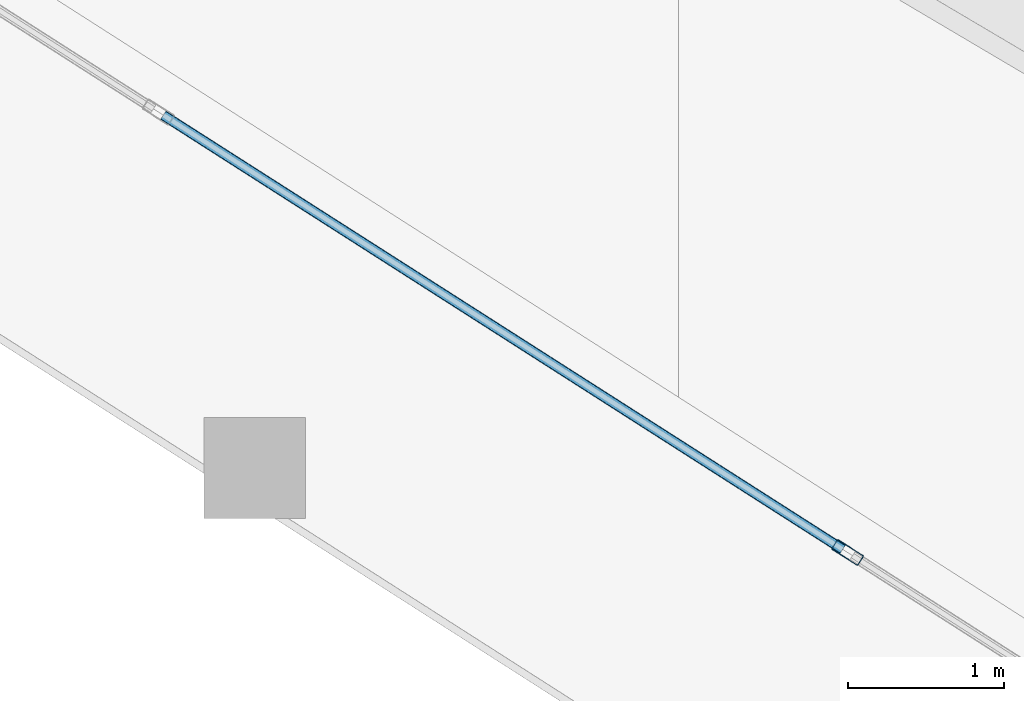
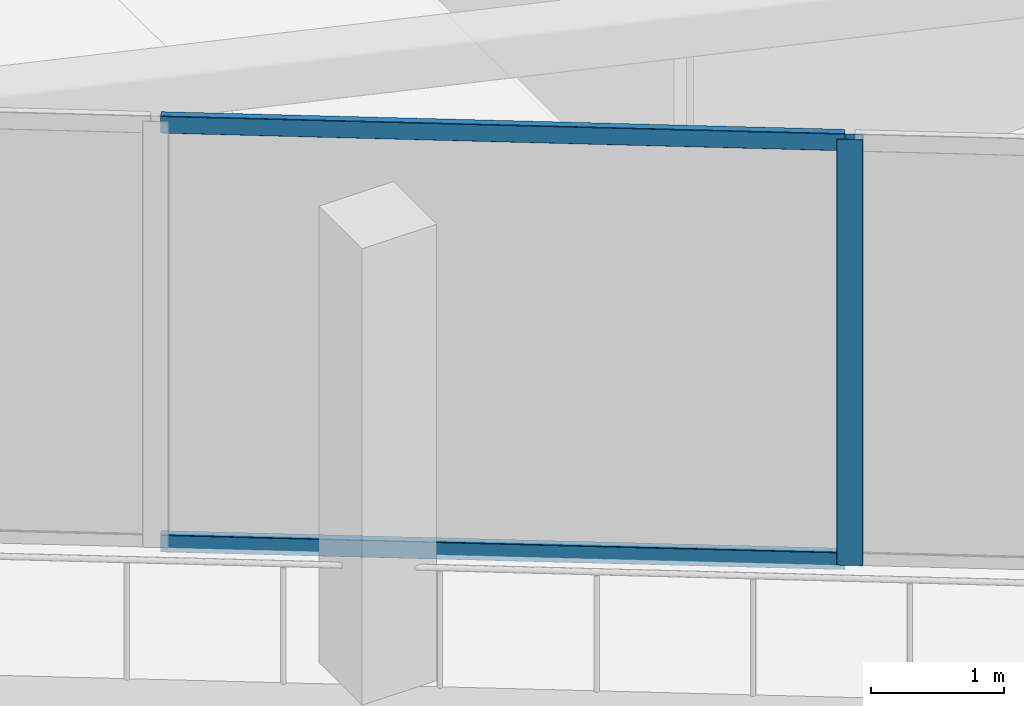
# One storey, part 4 of 47: 3 members, 1 element without a shape of its own.
"""IFC4 building model written with IfcOpenShell, lengths in metres."""

from ifc_helpers import new_model, si_unit, direction, frame, origin, origin_2d, place, context, subcontext, project, spatial, hollow_rectangle, extrude, material, layer, layer_set, material_profile, profile_set, type_object, element, aggregate, save


model = new_model("IFC4")

# Units and contexts
model_context = context("Model", 3, precision=1e-05, world=origin(), true_north=direction((0.0, 1.0)))
body_context = subcontext(model_context, "Body", "Model", "MODEL_VIEW")
ifc_project = project(units=[si_unit("LENGTHUNIT", "METRE"), si_unit("AREAUNIT", "SQUARE_METRE"), si_unit("VOLUMEUNIT", "CUBIC_METRE"), si_unit("PLANEANGLEUNIT", "RADIAN"), si_unit("MASSUNIT", "GRAM", prefix="KILO")], contexts=[model_context])

# Site, building, storey
site_placement = place(None, origin())
site = spatial("IfcSite", under=ifc_project, at=site_placement, CompositionType="ELEMENT")
building_placement = place(site_placement, origin())
building = spatial("IfcBuilding", under=site, at=building_placement, Name="Qorvath Tower", CompositionType="ELEMENT")
storey_placement = place(building_placement, frame((0.0, 0.0, 74.39990234375)))
storey = spatial("IfcBuildingStorey", under=building, at=storey_placement, Name="L16", CompositionType="ELEMENT", Elevation=74.39990234375)

# Curtain wall, members
ifc_material_1 = material(Name="Anodised aluminium and triple low-E glass", Category="aluminium")
ifc_layer = layer(ifc_material_1, 0.179931640625)
ifc_layer_set = layer_set([ifc_layer], Name="CW-SYS-5")
curtain_wall_type = type_object("IfcCurtainWallType", Name="CW-SYS-5", PredefinedType="NOTDEFINED", material=ifc_layer_set)
curtain_wall_placement = place(storey_placement, origin())
curtain_wall = element("IfcCurtainWall", 1, at=curtain_wall_placement, inside=storey, type_object=curtain_wall_type, Name="Curtain Wall CW-5 CW-T-L16-6.1", PredefinedType="NOTDEFINED")
ifc_material_2 = material(Name="Anodised aluminium 6063-T6", Category="aluminium")
ifc_material_profile_1 = material_profile(ifc_material_2, hollow_rectangle(XDim=0.074951171875, YDim=0.199951171875, WallThickness=0.00390625, InnerFilletRadius=0.00390625, OuterFilletRadius=0.008056640625, at=origin_2d()), Name="CWM 200x75")
ifc_profile_set_1 = profile_set([ifc_material_profile_1], Name="Anodised aluminium 6063-T6")
member_type_1 = type_object("IfcMemberType", Name="CWM-200", PredefinedType="MULLION", material=ifc_profile_set_1)
member_1_placement = place(storey_placement, frame((-41.73828125, -15.31591796875, 0.0), z_axis=(0.0, 0.0, 1.0), x_axis=(0.538533177038, 0.842604306439, 0.0)))
member_1 = element("IfcMember", 2, at=member_1_placement, type_object=member_type_1, Name="CW-5 mullion 5", PredefinedType="MULLION", context=body_context, shape_type="SweptSolid", body=[
    extrude(hollow_rectangle(XDim=0.074951171875, YDim=0.199951171875, WallThickness=0.00390625, InnerFilletRadius=0.00390625, OuterFilletRadius=0.008056640625, at=origin_2d()), origin(), (0.0, 0.0, 1.0), 3.920166015625),
])
ifc_material_3 = material(Name="Anodised aluminium 6063-T6", Category="aluminium")
ifc_material_profile_2 = material_profile(ifc_material_3, hollow_rectangle(XDim=0.06494140625, YDim=0.159912109375, WallThickness=0.00341796875, InnerFilletRadius=0.00341796875, OuterFilletRadius=0.007080078125, at=origin_2d()), Name="CWT 160x65")
ifc_profile_set_2 = profile_set([ifc_material_profile_2], Name="Anodised aluminium 6063-T6")
member_type_2 = type_object("IfcMemberType", Name="CWT-160", PredefinedType="USERDEFINED", material=ifc_profile_set_2)
member_2_placement = place(storey_placement, frame((-46.12109375, -12.514892578125, 0.032470703125), z_axis=(0.842630116511, -0.538492791733, 0.0), x_axis=(0.538492791733, 0.842630116511, 0.0)))
member_2 = element("IfcMember", 3, at=member_2_placement, type_object=member_type_2, Name="CW-5 transom 4.1", ObjectType="TRANSOM", PredefinedType="USERDEFINED", context=body_context, shape_type="SweptSolid", body=[
    extrude(hollow_rectangle(XDim=0.06494140625, YDim=0.159912109375, WallThickness=0.00341796875, InnerFilletRadius=0.00341796875, OuterFilletRadius=0.007080078125, at=origin_2d()), origin(), (0.0, 0.0, 1.0), 5.1640625),
])
member_3_placement = place(storey_placement, frame((-46.12109375, -12.514892578125, 3.8876953125), z_axis=(0.842630116511, -0.538492791733, 0.0), x_axis=(0.538492791733, 0.842630116511, 0.0)))
member_3 = element("IfcMember", 4, at=member_3_placement, type_object=member_type_2, Name="CW-5 transom 4.2", ObjectType="TRANSOM", PredefinedType="USERDEFINED", context=body_context, shape_type="SweptSolid", body=[
    extrude(hollow_rectangle(XDim=0.06494140625, YDim=0.159912109375, WallThickness=0.00341796875, InnerFilletRadius=0.00341796875, OuterFilletRadius=0.007080078125, at=origin_2d()), origin(), (0.0, 0.0, 1.0), 5.1640625),
])
aggregate(curtain_wall, [member_1, member_2, member_3])

save(model, "model.ifc")
